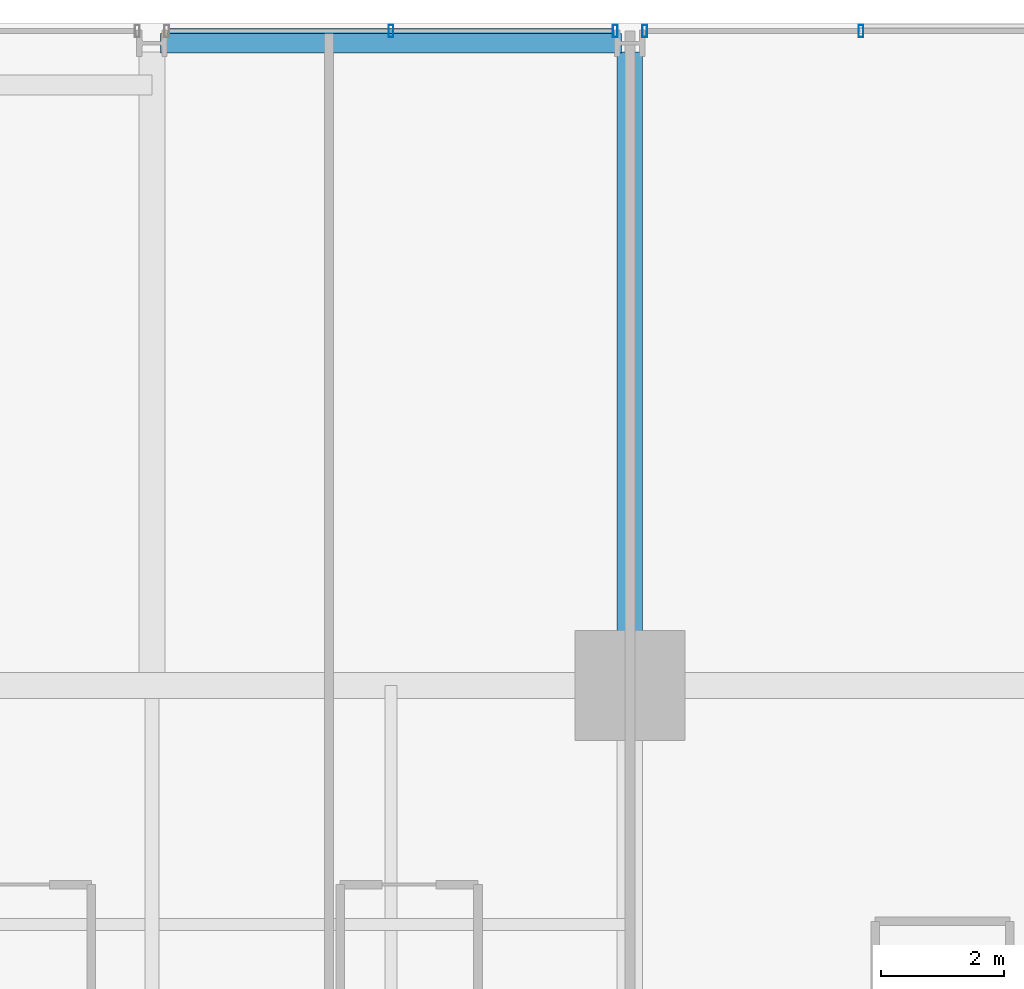
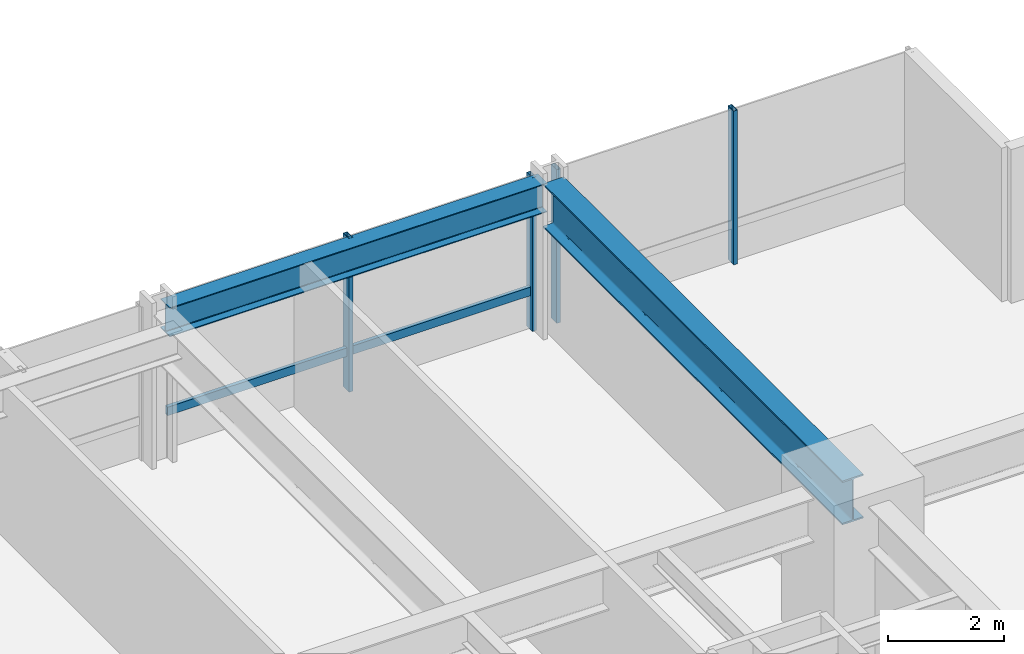
# One storey, part 27 of 42: 5 members, 2 beams, 2 elements without a shape of their own.
"""IFC4 building model written with IfcOpenShell, lengths in metres."""

from ifc_helpers import new_model, si_unit, direction, frame, origin, origin_2d, place, context, subcontext, project, spatial, hollow_rectangle, i_section, extrude, material, layer, layer_set, material_profile, profile_set, type_object, element, aggregate, save


model = new_model("IFC4")

# Units and contexts
model_context = context("Model", 3, precision=1e-05, world=origin(), true_north=direction((0.0, 1.0)))
body_context = subcontext(model_context, "Body", "Model", "MODEL_VIEW")
ifc_project = project(units=[si_unit("LENGTHUNIT", "METRE"), si_unit("AREAUNIT", "SQUARE_METRE"), si_unit("VOLUMEUNIT", "CUBIC_METRE"), si_unit("PLANEANGLEUNIT", "RADIAN"), si_unit("MASSUNIT", "GRAM", prefix="KILO")], contexts=[model_context])

# Site, building, storey
site_placement = place(None, origin())
site = spatial("IfcSite", under=ifc_project, at=site_placement, CompositionType="ELEMENT")
building_placement = place(site_placement, origin())
building = spatial("IfcBuilding", under=site, at=building_placement, Name="Drelvath Grand Hotel", CompositionType="ELEMENT")
storey_placement = place(building_placement, frame((0.0, 0.0, 33.199951171875)))
storey = spatial("IfcBuildingStorey", under=building, at=storey_placement, Name="L06", CompositionType="ELEMENT", Elevation=33.199951171875)

# Curtain wall, members
ifc_material_1 = material(Name="Warm Bronze Anodised Aluminium Frame", Category="aluminium")
ifc_layer = layer(ifc_material_1, 0.199951171875)
ifc_layer_set = layer_set([ifc_layer], Name="Warm Bronze Anodised Aluminium Frame")
curtain_wall_type = type_object("IfcCurtainWallType", Name="Stick Curtain Wall CW-02 Warm Bronze Low-Rise", PredefinedType="NOTDEFINED", material=ifc_layer_set)
curtain_wall_1_placement = place(storey_placement, origin())
curtain_wall_1 = element("IfcCurtainWall", 1, at=curtain_wall_1_placement, inside=storey, type_object=curtain_wall_type, Name="L06 CW-02 Curtain Wall CW02-L06-NE2", PredefinedType="NOTDEFINED")
ifc_material_profile_1 = material_profile(ifc_material_1, hollow_rectangle(XDim=0.074951171875, YDim=0.179931640625, WallThickness=0.0048828125, at=origin_2d()), Name="HSS180X75X5")
ifc_profile_set_1 = profile_set([ifc_material_profile_1], Name="Warm Bronze Anodised Aluminium Frame")
member_type_1 = type_object("IfcMemberType", Name="Curtain Wall Horizontal Transom CW-02 HSS180X75X5", PredefinedType="USERDEFINED", material=ifc_profile_set_1)
member_1_placement = place(storey_placement, frame((8.680908203125, 53.8798828125, 0.81005859375), z_axis=(1.0, 0.0, 0.0), x_axis=(0.0, 1.0, 0.0)))
member_1 = element("IfcMember", 2, at=member_1_placement, type_object=member_type_1, Name="CW02-L06-NE2 Sill Transom", ObjectType="TRANSOM", PredefinedType="USERDEFINED", context=body_context, shape_type="SweptSolid", body=[
    extrude(hollow_rectangle(XDim=0.074951171875, YDim=0.179931640625, WallThickness=0.0048828125, at=origin_2d()), origin(), (0.0, 0.0, 1.0), 7.23828125),
])
ifc_material_profile_2 = material_profile(ifc_material_1, hollow_rectangle(XDim=0.080078125, YDim=0.199951171875, WallThickness=0.0048828125, at=origin_2d()), Name="HSS200X80X5")
ifc_profile_set_2 = profile_set([ifc_material_profile_2], Name="Warm Bronze Anodised Aluminium Frame")
member_type_2 = type_object("IfcMemberType", Name="Curtain Wall Vertical Mullion CW-02 HSS200X80X5", PredefinedType="MULLION", material=ifc_profile_set_2)
member_2_placement = place(storey_placement, frame((12.300048828125, 53.8798828125, 0.0), z_axis=(0.0, 0.0, 1.0), x_axis=(1.0, 0.0, 0.0)))
member_2 = element("IfcMember", 3, at=member_2_placement, type_object=member_type_2, Name="CW02-L06-NE2 Mullion 2", PredefinedType="MULLION", context=body_context, shape_type="SweptSolid", body=[
    extrude(hollow_rectangle(XDim=0.080078125, YDim=0.199951171875, WallThickness=0.0048828125, at=origin_2d()), origin(), (0.0, 0.0, 1.0), 3.239990234375),
])
member_3_placement = place(storey_placement, frame((15.958984375, 53.8798828125, 0.0), z_axis=(0.0, 0.0, 1.0), x_axis=(1.0, 0.0, 0.0)))
member_3 = element("IfcMember", 4, at=member_3_placement, type_object=member_type_2, Name="CW02-L06-NE2 Mullion 3", PredefinedType="MULLION", context=body_context, shape_type="SweptSolid", body=[
    extrude(hollow_rectangle(XDim=0.080078125, YDim=0.199951171875, WallThickness=0.0048828125, at=origin_2d()), origin(), (0.0, 0.0, 1.0), 3.239990234375),
])
aggregate(curtain_wall_1, [member_2, member_3, member_1])

curtain_wall_2_placement = place(storey_placement, origin())
curtain_wall_2 = element("IfcCurtainWall", 5, at=curtain_wall_2_placement, inside=storey, type_object=curtain_wall_type, Name="L06 CW-02 Curtain Wall CW02-L06-NE3", PredefinedType="NOTDEFINED")
member_4_placement = place(storey_placement, frame((16.44091796875, 53.8798828125, 0.0), z_axis=(0.0, 0.0, 1.0), x_axis=(1.0, 0.0, 0.0)))
member_4 = element("IfcMember", 6, at=member_4_placement, type_object=member_type_2, Name="CW02-L06-NE3 Mullion 1", PredefinedType="MULLION", context=body_context, shape_type="SweptSolid", body=[
    extrude(hollow_rectangle(XDim=0.080078125, YDim=0.199951171875, WallThickness=0.0048828125, at=origin_2d()), origin(), (0.0, 0.0, 1.0), 3.239990234375),
])
member_5_placement = place(storey_placement, frame((19.970458984375, 53.8798828125, 0.0), z_axis=(0.0, 0.0, 1.0), x_axis=(1.0, 0.0, 0.0)))
member_5 = element("IfcMember", 7, at=member_5_placement, type_object=member_type_2, Name="CW02-L06-NE3 Mullion 2", PredefinedType="MULLION", context=body_context, shape_type="SweptSolid", body=[
    extrude(hollow_rectangle(XDim=0.080078125, YDim=0.199951171875, WallThickness=0.0048828125, at=origin_2d()), origin(), (0.0, 0.0, 1.0), 3.239990234375),
])
aggregate(curtain_wall_2, [member_4, member_5])

# Beams
ifc_material_2 = material(Name="Steel ASTM A992 Gr 50", Category="steel")
ifc_material_profile_3 = material_profile(ifc_material_2, i_section(OverallWidth=0.323974609375, OverallDepth=0.611083984375, WebThickness=0.0126953125, FlangeThickness=0.01904296875, FilletRadius=0.02197265625, at=origin_2d()), Name="W24X104")
ifc_profile_set_3 = profile_set([ifc_material_profile_3], Name="Steel ASTM A992 Gr 50")
beam_type_1 = type_object("IfcBeamType", Name="Perimeter Spandrel Beam W24X104", PredefinedType="SPANDREL", material=ifc_profile_set_3)
beam_1_placement = place(storey_placement, frame((8.5400390625, 53.679931640625, 2.9345703125), z_axis=(1.0, 0.0, 0.0), x_axis=(0.0, 1.0, 0.0)))
element("IfcBeam", 8, at=beam_1_placement, inside=storey, type_object=beam_type_1, Name="L06 Spandrel North E", PredefinedType="SPANDREL", context=body_context, shape_type="SweptSolid", body=[
    extrude(i_section(OverallWidth=0.323974609375, OverallDepth=0.611083984375, WebThickness=0.0126953125, FlangeThickness=0.01904296875, FilletRadius=0.02197265625, at=origin_2d()), origin(), (0.0, 0.0, 1.0), 7.52001953125),
])
ifc_material_profile_4 = material_profile(ifc_material_2, i_section(OverallWidth=0.418212890625, OverallDepth=0.926513671875, WebThickness=0.019287109375, FlangeThickness=0.031982421875, FilletRadius=0.028076171875, at=origin_2d()), Name="W36X231")
ifc_profile_set_4 = profile_set([ifc_material_profile_4], Name="Steel ASTM A992 Gr 50")
beam_type_2 = type_object("IfcBeamType", Name="Primary Floor Girder W36X231", PredefinedType="BEAM", material=ifc_profile_set_4)
beam_2_placement = place(storey_placement, frame((16.199951171875, 43.199951171875, 2.77685546875), z_axis=(0.0, 1.0, 0.0), x_axis=(-1.0, 0.0, 0.0)))
element("IfcBeam", 9, at=beam_2_placement, inside=storey, type_object=beam_type_2, Name="L06 North Grid Girder 7", PredefinedType="BEAM", context=body_context, shape_type="SweptSolid", body=[
    extrude(i_section(OverallWidth=0.418212890625, OverallDepth=0.926513671875, WebThickness=0.019287109375, FlangeThickness=0.031982421875, FilletRadius=0.028076171875, at=origin_2d()), origin(), (0.0, 0.0, 1.0), 10.340087890625),
])

save(model, "model.ifc")
